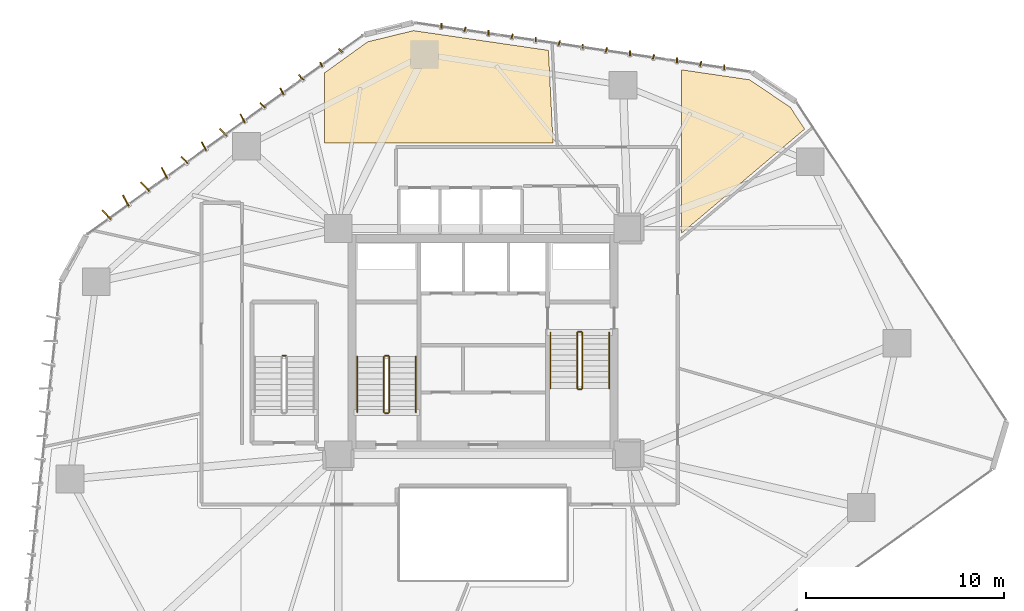
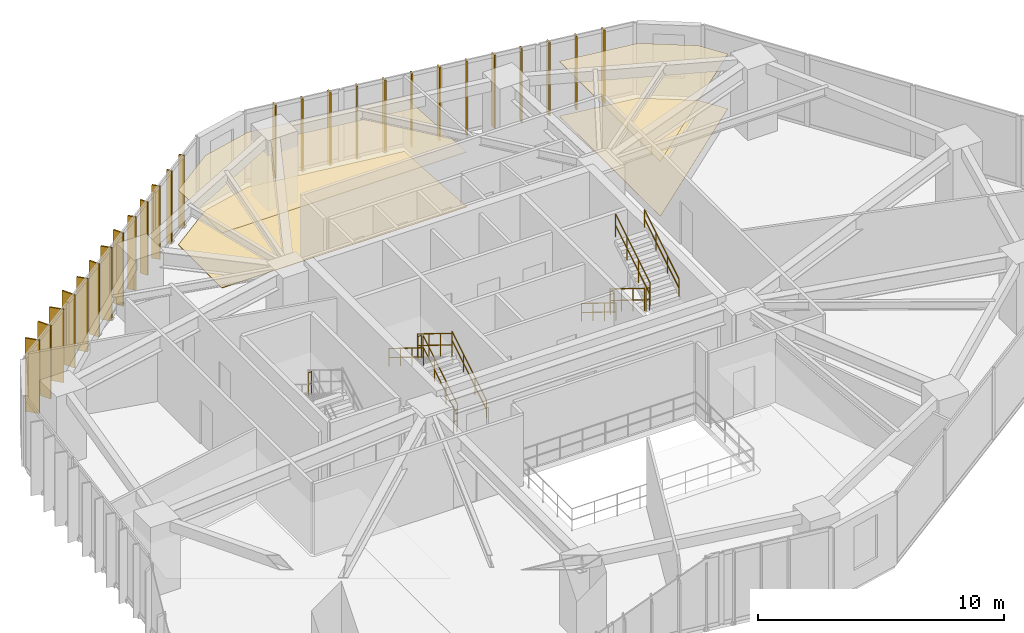
# One storey, part 22 of 22: 26 shading devices, 13 railings, 4 coverings.
"""IFC4 building model written with IfcOpenShell, lengths in metres."""

from ifc_helpers import new_model, si_unit, direction, frame, origin, origin_2d, place, context, subcontext, project, spatial, polyline, rectangle, circle, outline, extrude, source, transform, mapped, material, layer, layer_set, type_object, type_shapes, element, save


model = new_model("IFC4")

# Units and contexts
model_context = context("Model", 3, precision=1e-05, world=origin(), true_north=direction((0.0, 1.0)))
body_context = subcontext(model_context, "Body", "Model", "MODEL_VIEW")
ifc_project = project(units=[si_unit("LENGTHUNIT", "METRE"), si_unit("AREAUNIT", "SQUARE_METRE"), si_unit("VOLUMEUNIT", "CUBIC_METRE"), si_unit("PLANEANGLEUNIT", "RADIAN"), si_unit("MASSUNIT", "GRAM", prefix="KILO")], contexts=[model_context])

# Site, building, storey
site_placement = place(None, origin())
site = spatial("IfcSite", under=ifc_project, at=site_placement, CompositionType="ELEMENT")
building_placement = place(site_placement, origin())
building = spatial("IfcBuilding", under=site, at=building_placement, Name="Talar Marvaseh", CompositionType="ELEMENT")
storey_placement = place(building_placement, frame((0.0, 0.0, 65.800048828125)))
storey = spatial("IfcBuildingStorey", under=building, at=storey_placement, Name="L16", CompositionType="ELEMENT", Elevation=65.800048828125)

# Railings
ifc_material_1 = material(Name="Stainless Steel Grade 316", Category="steel")
railing_type_1 = type_object("IfcRailingType", Name="Brushed Stainless Wall Pitch Handrail 900", PredefinedType="HANDRAIL", material=ifc_material_1)
railing_1_placement = place(storey_placement, frame((22.610107421875, 27.64990234375, 0.172607421875)))
element("IfcRailing", 1, at=railing_1_placement, inside=storey, type_object=railing_type_1, Name="L16 ST-1 stair handrail 1", PredefinedType="HANDRAIL", context=body_context, shape_type="SweptSolid", body=[
    extrude(circle(Radius=0.02392578125, at=origin_2d()), frame((0.0, 0.0, 0.8759765625), z_axis=(0.0, 0.851089632645, 0.525020415988), x_axis=(-1.0, 0.0, 0.0)), (0.0, 0.0, 1.0), 3.2900390625),
    extrude(circle(Radius=0.02392578125, at=origin_2d()), frame((0.0, 0.0, 0.42578125), z_axis=(0.0, 0.851089632645, 0.525020415988), x_axis=(-1.0, 0.0, 0.0)), (0.0, 0.0, 1.0), 3.2900390625),
    extrude(circle(Radius=0.02099609375, at=origin_2d()), origin(), (0.0, 0.0, 1.0), 0.851806640625),
    extrude(circle(Radius=0.02099609375, at=origin_2d()), frame((0.0, 0.933349609375, 0.57568359375)), (0.0, 0.0, 1.0), 0.851806640625),
    extrude(circle(Radius=0.02099609375, at=origin_2d()), frame((0.0, 1.86669921875, 1.151611328125)), (0.0, 0.0, 1.0), 0.851806640625),
    extrude(circle(Radius=0.02099609375, at=origin_2d()), frame((0.0, 2.800048828125, 1.727294921875)), (0.0, 0.0, 1.0), 0.851806640625),
])
railing_2_placement = place(storey_placement, frame((19.64990234375, 30.449951171875, 2.07275390625)))
element("IfcRailing", 2, at=railing_2_placement, inside=storey, type_object=railing_type_1, Name="L16 ST-1 stair handrail 2", PredefinedType="HANDRAIL", context=body_context, shape_type="SweptSolid", body=[
    extrude(circle(Radius=0.02392578125, at=origin_2d()), frame((0.0, 0.0, 0.8759765625), z_axis=(0.0, -0.851089632645, 0.525020415988), x_axis=(1.0, 0.0, 0.0)), (0.0, 0.0, 1.0), 3.2900390625),
    extrude(circle(Radius=0.02392578125, at=origin_2d()), frame((0.0, 0.0, 0.42578125), z_axis=(0.0, -0.851089632645, 0.525020415988), x_axis=(1.0, 0.0, 0.0)), (0.0, 0.0, 1.0), 3.2900390625),
    extrude(circle(Radius=0.02099609375, at=origin_2d()), origin(), (0.0, 0.0, 1.0), 0.851806640625),
    extrude(circle(Radius=0.02099609375, at=origin_2d()), frame((0.0, -0.933349609375, 0.57568359375)), (0.0, 0.0, 1.0), 0.851806640625),
    extrude(circle(Radius=0.02099609375, at=origin_2d()), frame((0.0, -1.86669921875, 1.151611328125)), (0.0, 0.0, 1.0), 0.851806640625),
    extrude(circle(Radius=0.02099609375, at=origin_2d()), frame((0.0, -2.800048828125, 1.727294921875)), (0.0, 0.0, 1.0), 0.851806640625),
])
railing_3_placement = place(storey_placement, frame((29.389892578125, 31.64990234375, 0.172607421875)))
element("IfcRailing", 3, at=railing_3_placement, inside=storey, type_object=railing_type_1, Name="L16 ST-2 stair handrail 1", PredefinedType="HANDRAIL", context=body_context, shape_type="SweptSolid", body=[
    extrude(circle(Radius=0.02392578125, at=origin_2d()), frame((0.0, 0.0, 0.8759765625), z_axis=(0.0, -0.851069175582, 0.525053576669), x_axis=(1.0, 0.0, 0.0)), (0.0, 0.0, 1.0), 3.289794921875),
    extrude(circle(Radius=0.02392578125, at=origin_2d()), frame((0.0, 0.0, 0.42578125), z_axis=(0.0, -0.851069175582, 0.525053576669), x_axis=(1.0, 0.0, 0.0)), (0.0, 0.0, 1.0), 3.289794921875),
    extrude(circle(Radius=0.02099609375, at=origin_2d()), origin(), (0.0, 0.0, 1.0), 0.851806640625),
    extrude(circle(Radius=0.02099609375, at=origin_2d()), frame((0.0, -0.933349609375, 0.57568359375)), (0.0, 0.0, 1.0), 0.851806640625),
    extrude(circle(Radius=0.02099609375, at=origin_2d()), frame((0.0, -1.866455078125, 1.151611328125)), (0.0, 0.0, 1.0), 0.851806640625),
    extrude(circle(Radius=0.02099609375, at=origin_2d()), frame((0.0, -2.7998046875, 1.727294921875)), (0.0, 0.0, 1.0), 0.851806640625),
])
railing_4_placement = place(storey_placement, frame((32.35009765625, 28.85009765625, 2.07275390625)))
element("IfcRailing", 4, at=railing_4_placement, inside=storey, type_object=railing_type_1, Name="L16 ST-2 stair handrail 2", PredefinedType="HANDRAIL", context=body_context, shape_type="SweptSolid", body=[
    extrude(circle(Radius=0.02392578125, at=origin_2d()), frame((0.0, 0.0, 0.8759765625), z_axis=(0.0, 0.851069175582, 0.525053576669), x_axis=(-1.0, 0.0, 0.0)), (0.0, 0.0, 1.0), 3.289794921875),
    extrude(circle(Radius=0.02392578125, at=origin_2d()), frame((0.0, 0.0, 0.42578125), z_axis=(0.0, 0.851069175582, 0.525053576669), x_axis=(-1.0, 0.0, 0.0)), (0.0, 0.0, 1.0), 3.289794921875),
    extrude(circle(Radius=0.02099609375, at=origin_2d()), origin(), (0.0, 0.0, 1.0), 0.851806640625),
    extrude(circle(Radius=0.02099609375, at=origin_2d()), frame((0.0, 0.933349609375, 0.57568359375)), (0.0, 0.0, 1.0), 0.851806640625),
    extrude(circle(Radius=0.02099609375, at=origin_2d()), frame((0.0, 1.866455078125, 1.151611328125)), (0.0, 0.0, 1.0), 0.851806640625),
    extrude(circle(Radius=0.02099609375, at=origin_2d()), frame((0.0, 2.7998046875, 1.727294921875)), (0.0, 0.0, 1.0), 0.851806640625),
])
railing_type_2 = type_object("IfcRailingType", Name="Painted Steel Core Stair Well Guardrail 1150", PredefinedType="GUARDRAIL", material=ifc_material_1)
railing_5_placement = place(storey_placement, frame((21.260009765625, 27.64990234375, 0.172607421875)))
element("IfcRailing", 5, at=railing_5_placement, inside=storey, type_object=railing_type_2, Name="L16 ST-1 stair guard 1", PredefinedType="GUARDRAIL", context=body_context, shape_type="SweptSolid", body=[
    extrude(circle(Radius=0.02392578125, at=origin_2d()), frame((0.0, 0.0, 1.1259765625), z_axis=(0.0, 0.851089632645, 0.525020415988), x_axis=(-1.0, 0.0, 0.0)), (0.0, 0.0, 1.0), 3.2900390625),
    extrude(circle(Radius=0.02392578125, at=origin_2d()), frame((0.0, 0.0, 0.55078125), z_axis=(0.0, 0.851089632645, 0.525020415988), x_axis=(-1.0, 0.0, 0.0)), (0.0, 0.0, 1.0), 3.2900390625),
    extrude(circle(Radius=0.02099609375, at=origin_2d()), origin(), (0.0, 0.0, 1.0), 1.101806640625),
    extrude(circle(Radius=0.02099609375, at=origin_2d()), frame((0.0, 0.933349609375, 0.57568359375)), (0.0, 0.0, 1.0), 1.101806640625),
    extrude(circle(Radius=0.02099609375, at=origin_2d()), frame((0.0, 1.86669921875, 1.151611328125)), (0.0, 0.0, 1.0), 1.101806640625),
    extrude(circle(Radius=0.02099609375, at=origin_2d()), frame((0.0, 2.800048828125, 1.727294921875)), (0.0, 0.0, 1.0), 1.101806640625),
])
railing_6_placement = place(storey_placement, frame((21.2099609375, 30.5, 1.89990234375)))
element("IfcRailing", 6, at=railing_6_placement, inside=storey, type_object=railing_type_2, Name="L16 ST-1 stair guard 2", PredefinedType="GUARDRAIL", context=body_context, shape_type="SweptSolid", body=[
    extrude(circle(Radius=0.02392578125, at=origin_2d()), frame((0.0, 0.0, 1.1259765625), z_axis=(-1.0, 0.0, 0.0), x_axis=(0.0, -1.0, 0.0)), (0.0, 0.0, 1.0), 0.159912109375),
    extrude(circle(Radius=0.02392578125, at=origin_2d()), frame((0.0, 0.0, 0.55078125), z_axis=(-1.0, 0.0, 0.0), x_axis=(0.0, -1.0, 0.0)), (0.0, 0.0, 1.0), 0.159912109375),
    extrude(circle(Radius=0.02099609375, at=origin_2d()), origin(), (0.0, 0.0, 1.0), 1.101806640625),
    extrude(circle(Radius=0.02099609375, at=origin_2d()), frame((-0.159912109375, 0.0, 0.0)), (0.0, 0.0, 1.0), 1.101806640625),
])
railing_7_placement = place(storey_placement, frame((21.0, 30.449951171875, 2.07275390625)))
element("IfcRailing", 7, at=railing_7_placement, inside=storey, type_object=railing_type_2, Name="L16 ST-1 stair guard 3", PredefinedType="GUARDRAIL", context=body_context, shape_type="SweptSolid", body=[
    extrude(circle(Radius=0.02392578125, at=origin_2d()), frame((0.0, 0.0, 1.1259765625), z_axis=(0.0, -0.851089632645, 0.525020415988), x_axis=(1.0, 0.0, 0.0)), (0.0, 0.0, 1.0), 3.2900390625),
    extrude(circle(Radius=0.02392578125, at=origin_2d()), frame((0.0, 0.0, 0.55078125), z_axis=(0.0, -0.851089632645, 0.525020415988), x_axis=(1.0, 0.0, 0.0)), (0.0, 0.0, 1.0), 3.2900390625),
    extrude(circle(Radius=0.02099609375, at=origin_2d()), origin(), (0.0, 0.0, 1.0), 1.101806640625),
    extrude(circle(Radius=0.02099609375, at=origin_2d()), frame((0.0, -0.933349609375, 0.57568359375)), (0.0, 0.0, 1.0), 1.101806640625),
    extrude(circle(Radius=0.02099609375, at=origin_2d()), frame((0.0, -1.86669921875, 1.151611328125)), (0.0, 0.0, 1.0), 1.101806640625),
    extrude(circle(Radius=0.02099609375, at=origin_2d()), frame((0.0, -2.800048828125, 1.727294921875)), (0.0, 0.0, 1.0), 1.101806640625),
])
railing_8_placement = place(storey_placement, frame((21.2099609375, 27.60009765625, 0.0)))
element("IfcRailing", 8, at=railing_8_placement, inside=storey, type_object=railing_type_2, Name="L16 ST-1 stair guard 4", PredefinedType="GUARDRAIL", context=body_context, shape_type="SweptSolid", body=[
    extrude(circle(Radius=0.02392578125, at=origin_2d()), frame((0.0, 0.0, 1.1259765625), z_axis=(-1.0, 0.0, 0.0), x_axis=(0.0, -1.0, 0.0)), (0.0, 0.0, 1.0), 0.159912109375),
    extrude(circle(Radius=0.02392578125, at=origin_2d()), frame((0.0, 0.0, 0.55078125), z_axis=(-1.0, 0.0, 0.0), x_axis=(0.0, -1.0, 0.0)), (0.0, 0.0, 1.0), 0.159912109375),
    extrude(circle(Radius=0.02099609375, at=origin_2d()), origin(), (0.0, 0.0, 1.0), 1.101806640625),
    extrude(circle(Radius=0.02099609375, at=origin_2d()), frame((-0.159912109375, 0.0, 0.0)), (0.0, 0.0, 1.0), 1.101806640625),
])
railing_9_placement = place(storey_placement, frame((30.739990234375, 31.64990234375, 0.172607421875)))
element("IfcRailing", 9, at=railing_9_placement, inside=storey, type_object=railing_type_2, Name="L16 ST-2 stair guard 1", PredefinedType="GUARDRAIL", context=body_context, shape_type="SweptSolid", body=[
    extrude(circle(Radius=0.02392578125, at=origin_2d()), frame((0.0, 0.0, 1.1259765625), z_axis=(0.0, -0.851069175582, 0.525053576669), x_axis=(1.0, 0.0, 0.0)), (0.0, 0.0, 1.0), 3.289794921875),
    extrude(circle(Radius=0.02392578125, at=origin_2d()), frame((0.0, 0.0, 0.55078125), z_axis=(0.0, -0.851069175582, 0.525053576669), x_axis=(1.0, 0.0, 0.0)), (0.0, 0.0, 1.0), 3.289794921875),
    extrude(circle(Radius=0.02099609375, at=origin_2d()), origin(), (0.0, 0.0, 1.0), 1.101806640625),
    extrude(circle(Radius=0.02099609375, at=origin_2d()), frame((0.0, -0.933349609375, 0.57568359375)), (0.0, 0.0, 1.0), 1.101806640625),
    extrude(circle(Radius=0.02099609375, at=origin_2d()), frame((0.0, -1.866455078125, 1.151611328125)), (0.0, 0.0, 1.0), 1.101806640625),
    extrude(circle(Radius=0.02099609375, at=origin_2d()), frame((0.0, -2.7998046875, 1.727294921875)), (0.0, 0.0, 1.0), 1.101806640625),
])
railing_10_placement = place(storey_placement, frame((30.7900390625, 28.800048828125, 1.89990234375)))
element("IfcRailing", 10, at=railing_10_placement, inside=storey, type_object=railing_type_2, Name="L16 ST-2 stair guard 2", PredefinedType="GUARDRAIL", context=body_context, shape_type="SweptSolid", body=[
    extrude(circle(Radius=0.02392578125, at=origin_2d()), frame((0.0, 0.0, 1.1259765625), z_axis=(1.0, 0.0, 0.0), x_axis=(0.0, 1.0, 0.0)), (0.0, 0.0, 1.0), 0.159912109375),
    extrude(circle(Radius=0.02392578125, at=origin_2d()), frame((0.0, 0.0, 0.55078125), z_axis=(1.0, 0.0, 0.0), x_axis=(0.0, 1.0, 0.0)), (0.0, 0.0, 1.0), 0.159912109375),
    extrude(circle(Radius=0.02099609375, at=origin_2d()), origin(), (0.0, 0.0, 1.0), 1.101806640625),
    extrude(circle(Radius=0.02099609375, at=origin_2d()), frame((0.159912109375, 0.0, 0.0)), (0.0, 0.0, 1.0), 1.101806640625),
])
railing_11_placement = place(storey_placement, frame((31.0, 28.85009765625, 2.07275390625)))
element("IfcRailing", 11, at=railing_11_placement, inside=storey, type_object=railing_type_2, Name="L16 ST-2 stair guard 3", PredefinedType="GUARDRAIL", context=body_context, shape_type="SweptSolid", body=[
    extrude(circle(Radius=0.02392578125, at=origin_2d()), frame((0.0, 0.0, 1.1259765625), z_axis=(0.0, 0.851069175582, 0.525053576669), x_axis=(-1.0, 0.0, 0.0)), (0.0, 0.0, 1.0), 3.289794921875),
    extrude(circle(Radius=0.02392578125, at=origin_2d()), frame((0.0, 0.0, 0.55078125), z_axis=(0.0, 0.851069175582, 0.525053576669), x_axis=(-1.0, 0.0, 0.0)), (0.0, 0.0, 1.0), 3.289794921875),
    extrude(circle(Radius=0.02099609375, at=origin_2d()), origin(), (0.0, 0.0, 1.0), 1.101806640625),
    extrude(circle(Radius=0.02099609375, at=origin_2d()), frame((0.0, 0.933349609375, 0.57568359375)), (0.0, 0.0, 1.0), 1.101806640625),
    extrude(circle(Radius=0.02099609375, at=origin_2d()), frame((0.0, 1.866455078125, 1.151611328125)), (0.0, 0.0, 1.0), 1.101806640625),
    extrude(circle(Radius=0.02099609375, at=origin_2d()), frame((0.0, 2.7998046875, 1.727294921875)), (0.0, 0.0, 1.0), 1.101806640625),
])
railing_12_placement = place(storey_placement, frame((30.7900390625, 31.699951171875, 0.0)))
element("IfcRailing", 12, at=railing_12_placement, inside=storey, type_object=railing_type_2, Name="L16 ST-2 stair guard 4", PredefinedType="GUARDRAIL", context=body_context, shape_type="SweptSolid", body=[
    extrude(circle(Radius=0.02392578125, at=origin_2d()), frame((0.0, 0.0, 1.1259765625), z_axis=(1.0, 0.0, 0.0), x_axis=(0.0, 1.0, 0.0)), (0.0, 0.0, 1.0), 0.159912109375),
    extrude(circle(Radius=0.02392578125, at=origin_2d()), frame((0.0, 0.0, 0.55078125), z_axis=(1.0, 0.0, 0.0), x_axis=(0.0, 1.0, 0.0)), (0.0, 0.0, 1.0), 0.159912109375),
    extrude(circle(Radius=0.02099609375, at=origin_2d()), origin(), (0.0, 0.0, 1.0), 1.101806640625),
    extrude(circle(Radius=0.02099609375, at=origin_2d()), frame((0.159912109375, 0.0, 0.0)), (0.0, 0.0, 1.0), 1.101806640625),
])
railing_13_placement = place(storey_placement, frame((16.050048828125, 30.5, 1.89990234375)))
element("IfcRailing", 13, at=railing_13_placement, inside=storey, type_object=railing_type_2, Name="L16 ST-3 stair guard 2", PredefinedType="GUARDRAIL", context=body_context, shape_type="SweptSolid", body=[
    extrude(circle(Radius=0.02392578125, at=origin_2d()), frame((0.0, 0.0, 1.1259765625), z_axis=(-1.0, 0.0, 0.0), x_axis=(0.0, -1.0, 0.0)), (0.0, 0.0, 1.0), 0.16015625),
    extrude(circle(Radius=0.02392578125, at=origin_2d()), frame((0.0, 0.0, 0.55078125), z_axis=(-1.0, 0.0, 0.0), x_axis=(0.0, -1.0, 0.0)), (0.0, 0.0, 1.0), 0.16015625),
    extrude(circle(Radius=0.02099609375, at=origin_2d()), origin(), (0.0, 0.0, 1.0), 1.101806640625),
    extrude(circle(Radius=0.02099609375, at=origin_2d()), frame((-0.16015625, 0.0, 0.0)), (0.0, 0.0, 1.0), 1.101806640625),
])

# Coverings
ifc_material_2 = material(Name="Mineral Fibre Acoustic Ceiling")
ifc_layer_1 = layer(ifc_material_2, 0.02490234375)
ifc_layer_set_1 = layer_set([ifc_layer_1], Name="Mineral Fibre Acoustic Ceiling")
covering_type_1 = type_object("IfcCoveringType", Name="Perforated Mineral Fibre Acoustic Suspended Ceiling", PredefinedType="CEILING", material=ifc_layer_set_1)
covering_1_placement = place(storey_placement, frame((0.0, 0.0, 2.719970703125)))
element("IfcCovering", 14, at=covering_1_placement, inside=storey, type_object=covering_type_1, Name="L16 Chamber Recital Salon Acoustic Ceiling", PredefinedType="CEILING", context=body_context, shape_type="SweptSolid", body=[
    extrude(outline(polyline([(36.0, 36.668701171875), (36.0, 41.0), (36.0, 44.89453125), (39.4111328125, 44.395751953125), (41.468505859375, 43.014404296875), (42.1962890625, 41.91064453125), (36.0, 36.668701171875)])), origin(), (0.0, 0.0, 1.0), 0.02490234375),
])
covering_2_placement = place(storey_placement, frame((0.0, 0.0, 2.719970703125)))
element("IfcCovering", 15, at=covering_2_placement, inside=storey, type_object=covering_type_1, Name="L16 Digital Paleography Studio Acoustic Ceiling", PredefinedType="CEILING", context=body_context, shape_type="SweptSolid", body=[
    extrude(outline(polyline([(22.487060546875, 46.8701171875), (29.28662109375, 45.8759765625), (29.5185546875, 41.199951171875), (21.60009765625, 41.199951171875), (18.0, 41.199951171875), (18.0, 44.736083984375), (20.171875, 46.3037109375), (22.487060546875, 46.8701171875)])), origin(), (0.0, 0.0, 1.0), 0.02490234375),
])
ifc_material_3 = material(Name="Porcelain Stoneware Tile", Category="masonry")
ifc_layer_2 = layer(ifc_material_3, 0.02001953125)
ifc_layer_set_2 = layer_set([ifc_layer_2], Name="Porcelain Stoneware Tile")
covering_type_2 = type_object("IfcCoveringType", Name="Polished Porcelain Stoneware Gallery Flooring", PredefinedType="FLOORING", material=ifc_layer_set_2)
covering_3_placement = place(storey_placement, origin())
element("IfcCovering", 16, at=covering_3_placement, inside=storey, type_object=covering_type_2, Name="L16 Chamber Recital Salon Flooring", PredefinedType="FLOORING", context=body_context, shape_type="SweptSolid", body=[
    extrude(outline(polyline([(36.0, 36.668701171875), (36.0, 41.0), (36.0, 44.89453125), (39.4111328125, 44.395751953125), (41.468505859375, 43.014404296875), (42.1962890625, 41.91064453125), (36.0, 36.668701171875)])), origin(), (0.0, 0.0, 1.0), 0.02001953125),
])
covering_4_placement = place(storey_placement, origin())
element("IfcCovering", 17, at=covering_4_placement, inside=storey, type_object=covering_type_2, Name="L16 Digital Paleography Studio Flooring", PredefinedType="FLOORING", context=body_context, shape_type="SweptSolid", body=[
    extrude(outline(polyline([(22.487060546875, 46.8701171875), (29.28662109375, 45.8759765625), (29.5185546875, 41.199951171875), (21.60009765625, 41.199951171875), (18.0, 41.199951171875), (18.0, 44.736083984375), (20.171875, 46.3037109375), (22.487060546875, 46.8701171875)])), origin(), (0.0, 0.0, 1.0), 0.02001953125),
])

# Shading devices
ifc_material_4 = material(Name="Anodised Champagne Bronze Aluminium", Category="aluminium")
ifc_layer_3 = layer(ifc_material_4, 0.06494140625)
ifc_layer_set_3 = layer_set([ifc_layer_3], Name="Anodised Champagne Bronze Aluminium")
shading_device_type_1 = type_object("IfcShadingDeviceType", Name="Sawtooth Champagne Bronze Vertical Fin 240", PredefinedType="USERDEFINED", material=ifc_layer_set_3)
shared_shape_1 = source(origin(), body_context, "Body", "SweptSolid", [
    extrude(rectangle(XDim=0.239990234375, YDim=0.06494140625, at=origin_2d()), origin(), (0.0, 0.0, 1.0), 3.639892578125),
])
type_shapes(shading_device_type_1, [shared_shape_1])
for number, where, z_axis, x_axis, name in (
    (18, (17.837646484375, 45.167724609375, -0.1201171875), (0.0, 0.0, 1.0), (-0.46669538893, 0.884418121677, 0.0), "L16 Sawtooth Vertical Solar Fin"),
    (19, (18.810791015625, 45.8701171875, -0.1201171875), (0.0, 0.0, 1.0), (-0.692395073545, 0.721518580586, 0.0), "L16 Sawtooth Vertical Solar Fin"),
    (20, (23.89453125, 47.114013671875, -0.1201171875), (0.0, 0.0, 1.0), (0.005585024571, 0.999984403629, 0.0), "L16 Sawtooth Vertical Solar Fin"),
    (21, (25.08203125, 46.9404296875, -0.1201171875), (0.0, 0.0, 1.0), (0.281001727065, 0.959707262339, 0.0), "L16 Sawtooth Vertical Solar Fin"),
    (22, (26.269287109375, 46.766845703125, -0.1201171875), (0.0, 0.0, 1.0), (0.005585024571, 0.999984403629, 0.0), "L16 Sawtooth Vertical Solar Fin"),
    (23, (27.456787109375, 46.59326171875, -0.1201171875), (0.0, 0.0, 1.0), (0.281001727065, 0.959707262339, 0.0), "L16 Sawtooth Vertical Solar Fin"),
    (24, (28.64404296875, 46.419677734375, -0.1201171875), (0.0, 0.0, 1.0), (0.005585024571, 0.999984403629, 0.0), "L16 Sawtooth Vertical Solar Fin"),
    (25, (29.83154296875, 46.24609375, -0.1201171875), (0.0, 0.0, 1.0), (0.281001727065, 0.959707262339, 0.0), "L16 Sawtooth Vertical Solar Fin"),
    (26, (31.018798828125, 46.072509765625, -0.1201171875), (0.0, 0.0, 1.0), (0.005585024571, 0.999984403629, 0.0), "L16 Sawtooth Vertical Solar Fin"),
    (27, (32.206298828125, 45.898681640625, -0.1201171875), (0.0, 0.0, 1.0), (0.281001727065, 0.959707262339, 0.0), "L16 Sawtooth Vertical Solar Fin"),
    (28, (33.3935546875, 45.725341796875, -0.1201171875), (0.0, 0.0, 1.0), (0.005585024571, 0.999984403629, 0.0), "L16 Sawtooth Vertical Solar Fin"),
    (29, (34.5810546875, 45.5517578125, -0.1201171875), (0.0, 0.0, 1.0), (0.281001727065, 0.959707262339, 0.0), "L16 Sawtooth Vertical Solar Fin"),
    (30, (35.768310546875, 45.378173828125, -0.1201171875), (0.0, 0.0, 1.0), (0.005585024571, 0.999984403629, 0.0), "L16 Sawtooth Vertical Solar Fin"),
    (31, (36.955810546875, 45.20458984375, -0.1201171875), (0.0, 0.0, 1.0), (0.281001727065, 0.959707262339, 0.0), "L16 Sawtooth Vertical Solar Fin"),
    (32, (38.14306640625, 45.031005859375, -0.1201171875), (0.0, 0.0, 1.0), (0.005585024571, 0.999984403629, 0.0), "L16 Sawtooth Vertical Solar Fin"),
):
    element("IfcShadingDevice", number, at=place(storey_placement, frame(where, z_axis=z_axis, x_axis=x_axis)), inside=storey, type_object=shading_device_type_1, Name=name, ObjectType="FIN", PredefinedType="USERDEFINED", context=body_context, shape_type="MappedRepresentation", body=[
        mapped(shared_shape_1, transform((0.0, 0.0, 0.0), x_axis=(1.0, 0.0, 0.0), y_axis=(0.0, 1.0, 0.0), z_axis=(0.0, 0.0, 1.0), scale=1.0)),
    ])
ifc_layer_4 = layer(ifc_material_4, 0.06494140625)
ifc_layer_set_4 = layer_set([ifc_layer_4], Name="Anodised Champagne Bronze Aluminium")
shading_device_type_2 = type_object("IfcShadingDeviceType", Name="Sawtooth Champagne Bronze Vertical Fin 360", PredefinedType="USERDEFINED", material=ifc_layer_set_4)
shared_shape_2 = source(origin(), body_context, "Body", "SweptSolid", [
    extrude(rectangle(XDim=0.360107421875, YDim=0.06494140625, at=origin_2d()), origin(), (0.0, 0.0, 1.0), 3.639892578125),
])
type_shapes(shading_device_type_2, [shared_shape_2])
for number, where, z_axis, x_axis, name in (
    (33, (14.88330078125, 43.109619140625, -0.1201171875), (0.0, 0.0, 1.0), (-0.692395073545, 0.721518580586, 0.0), "L16 Sawtooth Vertical Solar Fin"),
    (34, (15.8564453125, 43.81201171875, -0.1201171875), (0.0, 0.0, 1.0), (-0.46669538893, 0.884418121677, 0.0), "L16 Sawtooth Vertical Solar Fin"),
    (35, (16.82958984375, 44.51416015625, -0.1201171875), (0.0, 0.0, 1.0), (-0.692395073545, 0.721518580586, 0.0), "L16 Sawtooth Vertical Solar Fin"),
):
    element("IfcShadingDevice", number, at=place(storey_placement, frame(where, z_axis=z_axis, x_axis=x_axis)), inside=storey, type_object=shading_device_type_2, Name=name, ObjectType="FIN", PredefinedType="USERDEFINED", context=body_context, shape_type="MappedRepresentation", body=[
        mapped(shared_shape_2, transform((0.0, 0.0, 0.0), x_axis=(1.0, 0.0, 0.0), y_axis=(0.0, 1.0, 0.0), z_axis=(0.0, 0.0, 1.0), scale=1.0)),
    ])
ifc_layer_5 = layer(ifc_material_4, 0.06494140625)
ifc_layer_set_5 = layer_set([ifc_layer_5], Name="Anodised Champagne Bronze Aluminium")
shading_device_type_3 = type_object("IfcShadingDeviceType", Name="Sawtooth Champagne Bronze Vertical Fin 480", PredefinedType="USERDEFINED", material=ifc_layer_set_5)
shared_shape_3 = source(origin(), body_context, "Body", "SweptSolid", [
    extrude(rectangle(XDim=0.47998046875, YDim=0.06494140625, at=origin_2d()), origin(), (0.0, 0.0, 1.0), 3.639892578125),
])
type_shapes(shading_device_type_3, [shared_shape_3])
for number, where, z_axis, x_axis, name in (
    (36, (10.9560546875, 40.349365234375, -0.1201171875), (0.0, 0.0, 1.0), (-0.692395073545, 0.721518580586, 0.0), "L16 Sawtooth Vertical Solar Fin"),
    (37, (11.92919921875, 41.051513671875, -0.1201171875), (0.0, 0.0, 1.0), (-0.46669538893, 0.884418121677, 0.0), "L16 Sawtooth Vertical Solar Fin"),
    (38, (12.902099609375, 41.75390625, -0.1201171875), (0.0, 0.0, 1.0), (-0.692395073545, 0.721518580586, 0.0), "L16 Sawtooth Vertical Solar Fin"),
    (39, (13.875244140625, 42.4560546875, -0.1201171875), (0.0, 0.0, 1.0), (-0.46669538893, 0.884418121677, 0.0), "L16 Sawtooth Vertical Solar Fin"),
):
    element("IfcShadingDevice", number, at=place(storey_placement, frame(where, z_axis=z_axis, x_axis=x_axis)), inside=storey, type_object=shading_device_type_3, Name=name, ObjectType="FIN", PredefinedType="USERDEFINED", context=body_context, shape_type="MappedRepresentation", body=[
        mapped(shared_shape_3, transform((0.0, 0.0, 0.0), x_axis=(1.0, 0.0, 0.0), y_axis=(0.0, 1.0, 0.0), z_axis=(0.0, 0.0, 1.0), scale=1.0)),
    ])
ifc_layer_6 = layer(ifc_material_4, 0.06494140625)
ifc_layer_set_6 = layer_set([ifc_layer_6], Name="Anodised Champagne Bronze Aluminium")
shading_device_type_4 = type_object("IfcShadingDeviceType", Name="Sawtooth Champagne Bronze Vertical Fin 620", PredefinedType="USERDEFINED", material=ifc_layer_set_6)
shared_shape_4 = source(origin(), body_context, "Body", "SweptSolid", [
    extrude(rectangle(XDim=0.6201171875, YDim=0.06494140625, at=origin_2d()), origin(), (0.0, 0.0, 1.0), 3.639892578125),
])
type_shapes(shading_device_type_4, [shared_shape_4])
for number, where, z_axis, x_axis, name in (
    (40, (7.02294921875, 37.59716796875, -0.1201171875), (0.0, 0.0, 1.0), (-0.692395073545, 0.721518580586, 0.0), "L16 Sawtooth Vertical Solar Fin"),
    (41, (7.995849609375, 38.29931640625, -0.1201171875), (0.0, 0.0, 1.0), (-0.46669538893, 0.884418121677, 0.0), "L16 Sawtooth Vertical Solar Fin"),
    (42, (8.968994140625, 39.001708984375, -0.1201171875), (0.0, 0.0, 1.0), (-0.692395073545, 0.721518580586, 0.0), "L16 Sawtooth Vertical Solar Fin"),
    (43, (9.94189453125, 39.703857421875, -0.1201171875), (0.0, 0.0, 1.0), (-0.46669538893, 0.884418121677, 0.0), "L16 Sawtooth Vertical Solar Fin"),
):
    element("IfcShadingDevice", number, at=place(storey_placement, frame(where, z_axis=z_axis, x_axis=x_axis)), inside=storey, type_object=shading_device_type_4, Name=name, ObjectType="FIN", PredefinedType="USERDEFINED", context=body_context, shape_type="MappedRepresentation", body=[
        mapped(shared_shape_4, transform((0.0, 0.0, 0.0), x_axis=(1.0, 0.0, 0.0), y_axis=(0.0, 1.0, 0.0), z_axis=(0.0, 0.0, 1.0), scale=1.0)),
    ])

save(model, "model.ifc")
